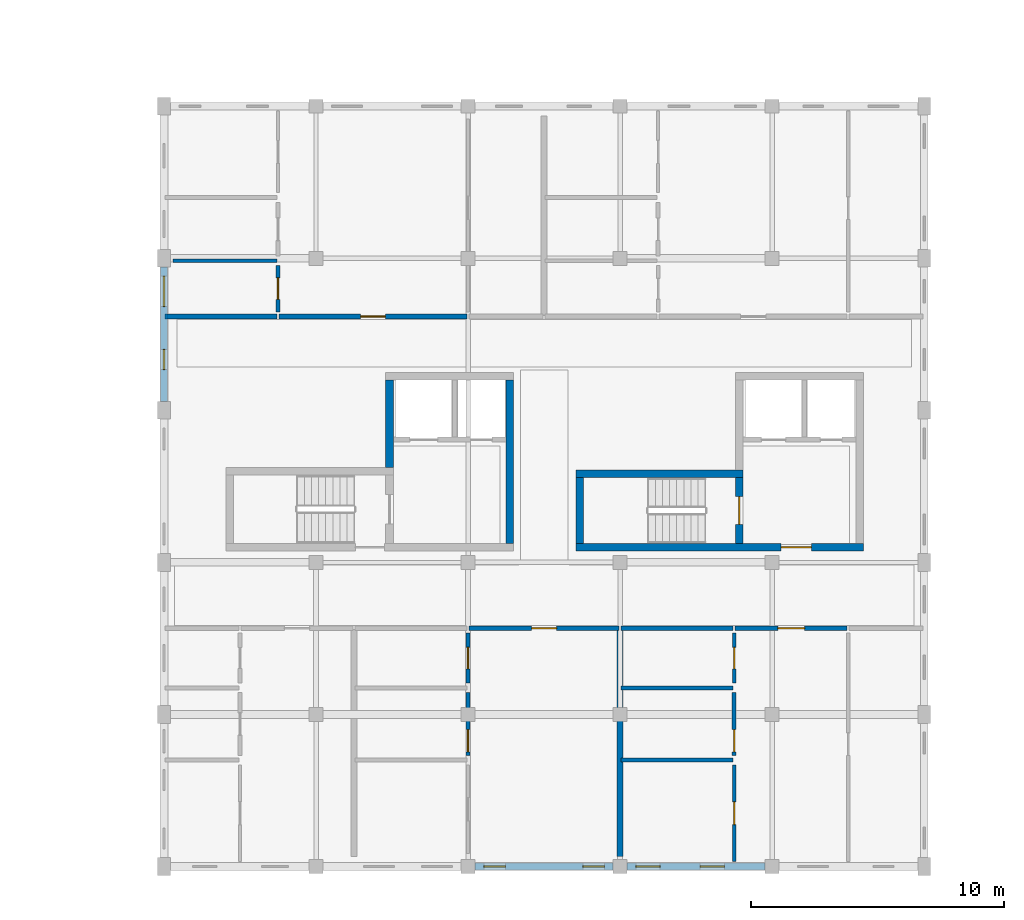
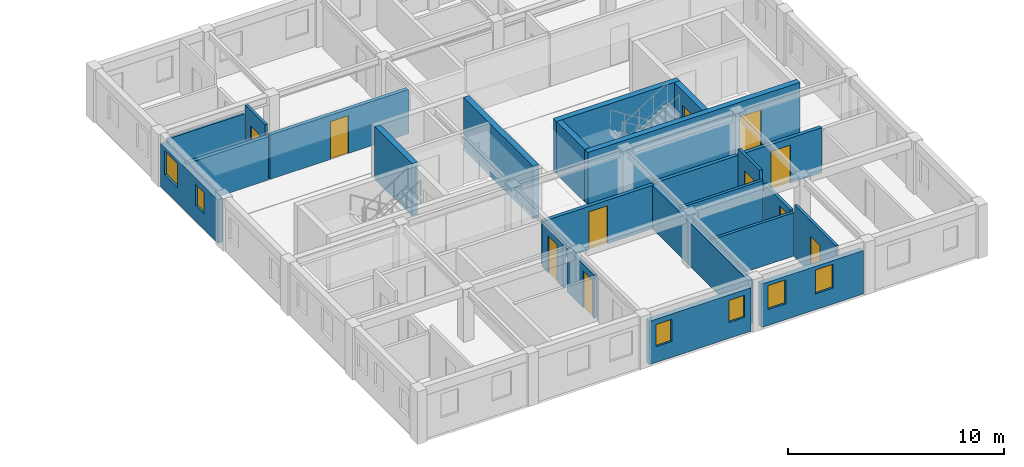
# One storey, part 12 of 28: 24 walls, 11 doors, 6 windows, 17 openings.
"""IFC4 building model written with IfcOpenShell, lengths in metres."""

from ifc_helpers import new_model, si_unit, direction, frame, frame_2d, origin, place, context, subcontext, project, spatial, rectangle, extrude, material, layer, layer_set, type_object, element, fill, save


model = new_model("IFC4")

# Units and contexts
model_context = context("Model", 3, precision=1e-05, world=origin(), true_north=direction((0.0, 1.0)))
body_context = subcontext(model_context, "Body", "Model", "MODEL_VIEW")
ifc_project = project(units=[si_unit("LENGTHUNIT", "METRE"), si_unit("AREAUNIT", "SQUARE_METRE"), si_unit("VOLUMEUNIT", "CUBIC_METRE"), si_unit("PLANEANGLEUNIT", "RADIAN"), si_unit("MASSUNIT", "GRAM", prefix="KILO"), si_unit("POWERUNIT", "WATT"), si_unit("THERMODYNAMICTEMPERATUREUNIT", "KELVIN")], contexts=[model_context])

# Site, building, storey
site_placement = place(None, origin())
site = spatial("IfcSite", under=ifc_project, at=site_placement, CompositionType="ELEMENT")
building_placement = place(site_placement, origin())
building = spatial("IfcBuilding", under=site, at=building_placement, Name="Ruvembo Vaulted Housing Court", CompositionType="ELEMENT")
storey_placement = place(building_placement, frame((0.0, 0.0, 23.699951171875)))
storey = spatial("IfcBuildingStorey", under=building, at=storey_placement, Name="L07", CompositionType="ELEMENT", Elevation=23.699951171875)

# Walls
ifc_material_1 = material(Name="Concrete C35/45", Category="concrete")
ifc_layer_1 = layer(ifc_material_1, 0.300048828125, Name="Concrete C35/45")
ifc_layer_set_1 = layer_set([ifc_layer_1], Name="Concrete C35/45")
wall_type_1 = type_object("IfcWallType", Name="WL-CORE-300", PredefinedType="SHEAR", material=ifc_layer_set_1)
wall_1_placement = place(storey_placement, frame((115.64990234375, 12.75, 0.0), z_axis=(0.0, 0.0, 1.0), x_axis=(0.0, 1.0, 0.0)))
element("IfcWall", 1, at=wall_1_placement, inside=storey, type_object=wall_type_1, Name="Core C1 L07 East Shear Wall", PredefinedType="SHEAR", context=body_context, shape_type="SweptSolid", body=[
    extrude(rectangle(XDim=6.449951171875, YDim=0.300048828125, at=frame_2d((3.22509765625, 0.0))), origin(), (0.0, 0.0, 1.0), 2.97509765625),
])
wall_2_placement = place(storey_placement, frame((110.89990234375, 15.75, 0.0), z_axis=(0.0, 0.0, 1.0), x_axis=(0.0, 1.0, 0.0)))
element("IfcWall", 2, at=wall_2_placement, inside=storey, type_object=wall_type_1, Name="Core C1 L07 Upper West Shear Wall", PredefinedType="SHEAR", context=body_context, shape_type="SweptSolid", body=[
    extrude(rectangle(XDim=3.449951171875, YDim=0.300048828125, at=frame_2d((1.72509765625, 0.0))), origin(), (0.0, 0.0, 1.0), 2.97509765625),
])

# Wall, opening, door
wall_3_placement = place(storey_placement, frame((118.25, 12.60009765625, 0.0), z_axis=(0.0, 0.0, 1.0), x_axis=(1.0, 0.0, 0.0)))
wall_3 = element("IfcWall", 3, at=wall_3_placement, inside=storey, type_object=wall_type_1, Name="Core C2 L07 South Shear Wall", PredefinedType="SHEAR", context=body_context, shape_type="SweptSolid", body=[
    extrude(rectangle(XDim=11.35009765625, YDim=0.300048828125, at=frame_2d((5.675048828125, 0.0))), origin(), (0.0, 0.0, 1.0), 2.97509765625),
])
opening_1_placement = place(wall_3_placement, frame((8.10009765625, 0.0, 0.0)))
opening_1 = element("IfcOpeningElement", 4, at=opening_1_placement, cuts=wall_3, Name="Opening LD3", PredefinedType="OPENING", context=body_context, shape_type="SweptSolid", body=[
    extrude(rectangle(XDim=1.199951171875, YDim=2.14990234375, at=frame_2d((0.60009765625, 1.074951171875))), frame((0.0, 0.159912109375, 0.0), z_axis=(0.0, -1.0, 0.0), x_axis=(1.0, 0.0, 0.0)), (0.0, 0.0, 1.0), 0.320068359375),
])
ifc_material_2 = material(Name="Galvanised Painted Steel", Category="steel")
door_type_1 = type_object("IfcDoorType", Name="DR-LOB-1200x2150", OperationType="NOTDEFINED", PredefinedType="DOOR", material=ifc_material_2)
door_1_placement = place(opening_1_placement, origin())
door_1 = element("IfcDoor", 5, at=door_1_placement, inside=storey, type_object=door_type_1, Name="Core C2 L07 Lobby Fire Door", OperationType="SINGLE_SWING_RIGHT", OverallHeight=2.14990234375, OverallWidth=1.199951171875, PredefinedType="DOOR", context=body_context, shape_type="SweptSolid", body=[
    extrude(rectangle(XDim=1.199951171875, YDim=2.14990234375, at=frame_2d((0.60009765625, 1.074951171875))), frame((0.0, 0.02490234375, 0.0), z_axis=(0.0, -1.0, 0.0), x_axis=(1.0, 0.0, 0.0)), (0.0, 0.0, 1.0), 0.050048828125),
])
fill(opening_1, door_1)

# Walls
wall_4_placement = place(storey_placement, frame((124.85009765625, 15.5, 0.0), z_axis=(0.0, 0.0, 1.0), x_axis=(-1.0, 0.0, 0.0)))
element("IfcWall", 6, at=wall_4_placement, inside=storey, type_object=wall_type_1, Name="Core C2 L07 Stair North Shear Wall", PredefinedType="SHEAR", context=body_context, shape_type="SweptSolid", body=[
    extrude(rectangle(XDim=6.60009765625, YDim=0.300048828125, at=frame_2d((3.300048828125, 0.0))), origin(), (0.0, 0.0, 1.0), 2.97509765625),
])
wall_5_placement = place(storey_placement, frame((118.39990234375, 15.35009765625, 0.0), z_axis=(0.0, 0.0, 1.0), x_axis=(0.0, -1.0, 0.0)))
element("IfcWall", 7, at=wall_5_placement, inside=storey, type_object=wall_type_1, Name="Core C2 L07 Stair West Shear Wall", PredefinedType="SHEAR", context=body_context, shape_type="SweptSolid", body=[
    extrude(rectangle(XDim=2.60009765625, YDim=0.300048828125, at=frame_2d((1.300048828125, 0.0))), origin(), (0.0, 0.0, 1.0), 2.97509765625),
])

# Wall, opening, door
wall_6_placement = place(storey_placement, frame((124.699951171875, 12.75, 0.0), z_axis=(0.0, 0.0, 1.0), x_axis=(0.0, 1.0, 0.0)))
wall_6 = element("IfcWall", 8, at=wall_6_placement, inside=storey, type_object=wall_type_1, Name="Core C2 L07 Stair-Lobby Shear Wall", PredefinedType="SHEAR", context=body_context, shape_type="SweptSolid", body=[
    extrude(rectangle(XDim=2.60009765625, YDim=0.300048828125, at=frame_2d((1.300048828125, 0.0))), origin(), (0.0, 0.0, 1.0), 2.97509765625),
])
opening_2_placement = place(wall_6_placement, frame((0.75, 0.0, 0.0)))
opening_2 = element("IfcOpeningElement", 9, at=opening_2_placement, cuts=wall_6, Name="Opening SD2", PredefinedType="OPENING", context=body_context, shape_type="SweptSolid", body=[
    extrude(rectangle(XDim=1.10009765625, YDim=2.14990234375, at=frame_2d((0.550048828125, 1.074951171875))), frame((0.0, 0.159912109375, 0.0), z_axis=(0.0, -1.0, 0.0), x_axis=(1.0, 0.0, 0.0)), (0.0, 0.0, 1.0), 0.320068359375),
])
door_type_2 = type_object("IfcDoorType", Name="DR-STAIR-1100x2150", OperationType="NOTDEFINED", PredefinedType="DOOR", material=ifc_material_2)
door_2_placement = place(opening_2_placement, origin())
door_2 = element("IfcDoor", 10, at=door_2_placement, inside=storey, type_object=door_type_2, Name="Stair ST-C2 L07 Fire Door", OperationType="SINGLE_SWING_LEFT", OverallHeight=2.14990234375, OverallWidth=1.10009765625, PredefinedType="DOOR", context=body_context, shape_type="SweptSolid", body=[
    extrude(rectangle(XDim=1.10009765625, YDim=2.14990234375, at=frame_2d((0.550048828125, 1.074951171875))), frame((0.0, 0.02490234375, 0.0), z_axis=(0.0, -1.0, 0.0), x_axis=(1.0, 0.0, 0.0)), (0.0, 0.0, 1.0), 0.050048828125),
])
fill(opening_2, door_2)

ifc_material_3 = material(Name="Concrete Blockwork 190", Category="masonry")
ifc_layer_2 = layer(ifc_material_3, 0.18994140625, Name="Concrete Blockwork 190")
ifc_layer_set_2 = layer_set([ifc_layer_2], Name="Concrete Blockwork 190")
wall_type_2 = type_object("IfcWallType", Name="WL-CORR-190", PredefinedType="SOLIDWALL", material=ifc_layer_set_2)
wall_7_placement = place(storey_placement, frame((114.0400390625, 9.39990234375, 0.0), z_axis=(0.0, 0.0, 1.0), x_axis=(1.0, 0.0, 0.0)))
wall_7 = element("IfcWall", 11, at=wall_7_placement, inside=storey, type_object=wall_type_2, Name="L07 Flat C-L07-S2 Entrance WL-INT-L07-01939", PredefinedType="SOLIDWALL", context=body_context, shape_type="SweptSolid", body=[
    extrude(rectangle(XDim=5.919921875, YDim=0.18994140625, at=frame_2d((2.9599609375, 0.0))), origin(), (0.0, 0.0, 1.0), 2.4580078125),
])
opening_3_placement = place(wall_7_placement, frame((2.469970703125, 0.0, 0.0)))
opening_3 = element("IfcOpeningElement", 12, at=opening_3_placement, cuts=wall_7, Name="Opening FD2", PredefinedType="OPENING", context=body_context, shape_type="SweptSolid", body=[
    extrude(rectangle(XDim=0.97998046875, YDim=2.14990234375, at=frame_2d((0.489990234375, 1.074951171875))), frame((0.0, 0.10498046875, 0.0), z_axis=(0.0, -1.0, 0.0), x_axis=(1.0, 0.0, 0.0)), (0.0, 0.0, 1.0), 0.2099609375),
])
ifc_material_4 = material(Name="FSC Hardwood and Engineered Timber", Category="wood")
door_type_3 = type_object("IfcDoorType", Name="DR-FLAT-0980x2150", OperationType="NOTDEFINED", PredefinedType="DOOR", material=ifc_material_4)
door_3_placement = place(opening_3_placement, origin())
door_3 = element("IfcDoor", 13, at=door_3_placement, inside=storey, type_object=door_type_3, Name="L07 Flat C-L07-S2 Entrance Door DR-INT-L07-01087", OperationType="SINGLE_SWING_LEFT", OverallHeight=2.14990234375, OverallWidth=0.97998046875, PredefinedType="DOOR", context=body_context, shape_type="SweptSolid", body=[
    extrude(rectangle(XDim=0.97998046875, YDim=2.14990234375, at=frame_2d((0.489990234375, 1.074951171875))), frame((0.0, 0.02490234375, 0.0), z_axis=(0.0, -1.0, 0.0), x_axis=(1.0, 0.0, 0.0)), (0.0, 0.0, 1.0), 0.050048828125),
])
fill(opening_3, door_3)

# Wall
wall_8_placement = place(storey_placement, frame((120.0400390625, 9.39990234375, 0.0), z_axis=(0.0, 0.0, 1.0), x_axis=(1.0, 0.0, 0.0)))
element("IfcWall", 14, at=wall_8_placement, inside=storey, type_object=wall_type_2, Name="L07 Flat C-L07-S3 Corridor Wall WL-INT-L07-01945", PredefinedType="SOLIDWALL", context=body_context, shape_type="SweptSolid", body=[
    extrude(rectangle(XDim=4.419921875, YDim=0.18994140625, at=frame_2d((2.2099609375, 0.0))), origin(), (0.0, 0.0, 1.0), 2.548095703125),
])

# Wall, opening, door
wall_9_placement = place(storey_placement, frame((124.5400390625, 9.39990234375, 0.0), z_axis=(0.0, 0.0, 1.0), x_axis=(1.0, 0.0, 0.0)))
wall_9 = element("IfcWall", 15, at=wall_9_placement, inside=storey, type_object=wall_type_2, Name="L07 Flat C-L07-S3 Entrance WL-INT-L07-01946", PredefinedType="SOLIDWALL", context=body_context, shape_type="SweptSolid", body=[
    extrude(rectangle(XDim=4.419921875, YDim=0.18994140625, at=frame_2d((2.2099609375, 0.0))), origin(), (0.0, 0.0, 1.0), 2.548095703125),
])
opening_4_placement = place(wall_9_placement, frame((1.68505859375, 0.0, 0.0)))
opening_4 = element("IfcOpeningElement", 16, at=opening_4_placement, cuts=wall_9, Name="Opening FD3", PredefinedType="OPENING", context=body_context, shape_type="SweptSolid", body=[
    extrude(rectangle(XDim=1.050048828125, YDim=2.14990234375, at=frame_2d((0.52490234375, 1.074951171875))), frame((0.0, 0.10498046875, 0.0), z_axis=(0.0, -1.0, 0.0), x_axis=(1.0, 0.0, 0.0)), (0.0, 0.0, 1.0), 0.2099609375),
])
door_type_4 = type_object("IfcDoorType", Name="DR-FLAT-1050x2150", OperationType="NOTDEFINED", PredefinedType="DOOR", material=ifc_material_4)
door_4_placement = place(opening_4_placement, origin())
door_4 = element("IfcDoor", 17, at=door_4_placement, inside=storey, type_object=door_type_4, Name="L07 Flat C-L07-S3 Entrance Door DR-INT-L07-01091", OperationType="SINGLE_SWING_LEFT", OverallHeight=2.14990234375, OverallWidth=1.050048828125, PredefinedType="DOOR", context=body_context, shape_type="SweptSolid", body=[
    extrude(rectangle(XDim=1.050048828125, YDim=2.14990234375, at=frame_2d((0.52490234375, 1.074951171875))), frame((0.0, 0.02490234375, 0.0), z_axis=(0.0, -1.0, 0.0), x_axis=(1.0, 0.0, 0.0)), (0.0, 0.0, 1.0), 0.050048828125),
])
fill(opening_4, door_4)

# Wall
wall_10_placement = place(storey_placement, frame((102.0400390625, 21.699951171875, 0.0), z_axis=(0.0, 0.0, 1.0), x_axis=(1.0, 0.0, 0.0)))
element("IfcWall", 18, at=wall_10_placement, inside=storey, type_object=wall_type_2, Name="L07 Flat C-L07-N1 Corridor Wall WL-INT-L07-01955", PredefinedType="SOLIDWALL", context=body_context, shape_type="SweptSolid", body=[
    extrude(rectangle(XDim=4.419921875, YDim=0.18994140625, at=frame_2d((2.2099609375, 0.0))), origin(), (0.0, 0.0, 1.0), 2.45703125),
])

# Wall, opening, door
wall_11_placement = place(storey_placement, frame((106.5400390625, 21.699951171875, 0.0), z_axis=(0.0, 0.0, 1.0), x_axis=(1.0, 0.0, 0.0)))
wall_11 = element("IfcWall", 19, at=wall_11_placement, inside=storey, type_object=wall_type_2, Name="L07 Flat C-L07-N1 Entrance WL-INT-L07-01956", PredefinedType="SOLIDWALL", context=body_context, shape_type="SweptSolid", body=[
    extrude(rectangle(XDim=7.419921875, YDim=0.18994140625, at=frame_2d((3.7099609375, 0.0))), origin(), (0.0, 0.0, 1.0), 2.508056640625),
])
opening_5_placement = place(wall_11_placement, frame((3.219970703125, 0.0, 0.0)))
opening_5 = element("IfcOpeningElement", 20, at=opening_5_placement, cuts=wall_11, Name="Opening FD2", PredefinedType="OPENING", context=body_context, shape_type="SweptSolid", body=[
    extrude(rectangle(XDim=0.97998046875, YDim=2.14990234375, at=frame_2d((0.489990234375, 1.074951171875))), frame((0.0, 0.10498046875, 0.0), z_axis=(0.0, -1.0, 0.0), x_axis=(1.0, 0.0, 0.0)), (0.0, 0.0, 1.0), 0.2099609375),
])
door_5_placement = place(opening_5_placement, origin())
door_5 = element("IfcDoor", 21, at=door_5_placement, inside=storey, type_object=door_type_3, Name="L07 Flat C-L07-N1 Entrance Door DR-INT-L07-01096", OperationType="SINGLE_SWING_RIGHT", OverallHeight=2.14990234375, OverallWidth=0.97998046875, PredefinedType="DOOR", context=body_context, shape_type="SweptSolid", body=[
    extrude(rectangle(XDim=0.97998046875, YDim=2.14990234375, at=frame_2d((0.489990234375, 1.074951171875))), frame((0.0, 0.02490234375, 0.0), z_axis=(0.0, -1.0, 0.0), x_axis=(1.0, 0.0, 0.0)), (0.0, 0.0, 1.0), 0.050048828125),
])
fill(opening_5, door_5)

# Wall
ifc_material_5 = material(Name="Acoustic Masonry Demising 230", Category="masonry")
ifc_layer_3 = layer(ifc_material_5, 0.22998046875, Name="Acoustic Masonry Demising 230")
ifc_layer_set_3 = layer_set([ifc_layer_3], Name="Acoustic Masonry Demising 230")
wall_type_3 = type_object("IfcWallType", Name="WL-DEM-230", PredefinedType="SOLIDWALL", material=ifc_layer_set_3)
wall_12_placement = place(storey_placement, frame((120.0, 0.389892578125, 0.0), z_axis=(0.0, 0.0, 1.0), x_axis=(0.0, 1.0, 0.0)))
element("IfcWall", 22, at=wall_12_placement, inside=storey, type_object=wall_type_3, Name="L07 Demising C-L07-S2 WL-INT-L07-01937", PredefinedType="SOLIDWALL", context=body_context, shape_type="SweptSolid", body=[
    extrude(rectangle(XDim=8.97021484375, YDim=0.22998046875, at=frame_2d((4.485107421875, 0.0))), origin(), (0.0, 0.0, 1.0), 2.4580078125),
])

# Wall, openings, windows
ifc_material_6 = material(Name="Rendered Masonry 270", Category="masonry")
ifc_layer_4 = layer(ifc_material_6, 0.27001953125, Name="Rendered Masonry 270")
ifc_layer_set_4 = layer_set([ifc_layer_4], Name="Rendered Masonry 270")
wall_type_4 = type_object("IfcWallType", Name="WL-EXT-270", PredefinedType="STANDARD", material=ifc_layer_set_4)
wall_13_placement = place(storey_placement, frame((114.27490234375, 0.0, 0.0), z_axis=(0.0, 0.0, 1.0), x_axis=(1.0, 0.0, 0.0)))
wall_13 = element("IfcWall", 23, at=wall_13_placement, inside=storey, type_object=wall_type_4, Name="Block C L07 Exterior Wall STREET #3", PredefinedType="STANDARD", context=body_context, shape_type="SweptSolid", body=[
    extrude(rectangle(XDim=5.4501953125, YDim=0.27001953125, at=frame_2d((2.72509765625, 0.0))), origin(), (0.0, 0.0, 1.0), 2.45703125),
])
opening_6_placement = place(wall_13_placement, frame((0.35009765625, 0.0, 0.89990234375)))
opening_6 = element("IfcOpeningElement", 24, at=opening_6_placement, cuts=wall_13, Name="Opening W03", PredefinedType="OPENING", context=body_context, shape_type="SweptSolid", body=[
    extrude(rectangle(XDim=0.85009765625, YDim=1.25, at=frame_2d((0.425048828125, 0.625))), frame((0.0, 0.14501953125, 0.0), z_axis=(0.0, -1.0, 0.0), x_axis=(1.0, 0.0, 0.0)), (0.0, 0.0, 1.0), 0.2900390625),
])
opening_7_placement = place(wall_13_placement, frame((4.25, 0.0, 0.89990234375)))
opening_7 = element("IfcOpeningElement", 25, at=opening_7_placement, cuts=wall_13, Name="Opening W03", PredefinedType="OPENING", context=body_context, shape_type="SweptSolid", body=[
    extrude(rectangle(XDim=0.85009765625, YDim=1.25, at=frame_2d((0.425048828125, 0.625))), frame((0.0, 0.14501953125, 0.0), z_axis=(0.0, -1.0, 0.0), x_axis=(1.0, 0.0, 0.0)), (0.0, 0.0, 1.0), 0.2900390625),
])
ifc_material_7 = material(Name="Double Solar-Control Glazing in Aluminium Frame", Category="aluminium")
window_type_1 = type_object("IfcWindowType", Name="WIN-0850x1250", PartitioningType="SINGLE_PANEL", PredefinedType="WINDOW", material=ifc_material_7)
window_1_placement = place(opening_6_placement, origin())
window_1 = element("IfcWindow", 26, at=window_1_placement, inside=storey, type_object=window_type_1, Name="Block C L07 Window #1369", OverallHeight=1.25, OverallWidth=0.85009765625, PartitioningType="SINGLE_PANEL", PredefinedType="WINDOW", context=body_context, shape_type="SweptSolid", body=[
    extrude(rectangle(XDim=0.85009765625, YDim=1.25, at=frame_2d((0.425048828125, 0.625))), frame((0.0, 0.030029296875, 0.0), z_axis=(0.0, -1.0, 0.0), x_axis=(1.0, 0.0, 0.0)), (0.0, 0.0, 1.0), 0.06005859375),
])
fill(opening_6, window_1)
window_2_placement = place(opening_7_placement, origin())
window_2 = element("IfcWindow", 27, at=window_2_placement, inside=storey, type_object=window_type_1, Name="Block C L07 Window #1370", OverallHeight=1.25, OverallWidth=0.85009765625, PartitioningType="SINGLE_PANEL", PredefinedType="WINDOW", context=body_context, shape_type="SweptSolid", body=[
    extrude(rectangle(XDim=0.85009765625, YDim=1.25, at=frame_2d((0.425048828125, 0.625))), frame((0.0, 0.030029296875, 0.0), z_axis=(0.0, -1.0, 0.0), x_axis=(1.0, 0.0, 0.0)), (0.0, 0.0, 1.0), 0.06005859375),
])
fill(opening_7, window_2)

wall_14_placement = place(storey_placement, frame((120.27490234375, 0.0, 0.0), z_axis=(0.0, 0.0, 1.0), x_axis=(1.0, 0.0, 0.0)))
wall_14 = element("IfcWall", 28, at=wall_14_placement, inside=storey, type_object=wall_type_4, Name="Block C L07 Exterior Wall STREET #4", PredefinedType="STANDARD", context=body_context, shape_type="SweptSolid", body=[
    extrude(rectangle(XDim=5.4501953125, YDim=0.27001953125, at=frame_2d((2.72509765625, 0.0))), origin(), (0.0, 0.0, 1.0), 2.45703125),
])
opening_8_placement = place(wall_14_placement, frame((0.35009765625, 0.0, 0.89990234375)))
opening_8 = element("IfcOpeningElement", 29, at=opening_8_placement, cuts=wall_14, Name="Opening W07", PredefinedType="OPENING", context=body_context, shape_type="SweptSolid", body=[
    extrude(rectangle(XDim=0.949951171875, YDim=1.35009765625, at=frame_2d((0.47509765625, 0.675048828125))), frame((0.0, 0.14501953125, 0.0), z_axis=(0.0, -1.0, 0.0), x_axis=(1.0, 0.0, 0.0)), (0.0, 0.0, 1.0), 0.2900390625),
])
opening_9_placement = place(wall_14_placement, frame((2.885009765625, 0.0, 0.89990234375)))
opening_9 = element("IfcOpeningElement", 30, at=opening_9_placement, cuts=wall_14, Name="Opening W07", PredefinedType="OPENING", context=body_context, shape_type="SweptSolid", body=[
    extrude(rectangle(XDim=0.949951171875, YDim=1.35009765625, at=frame_2d((0.47509765625, 0.675048828125))), frame((0.0, 0.14501953125, 0.0), z_axis=(0.0, -1.0, 0.0), x_axis=(1.0, 0.0, 0.0)), (0.0, 0.0, 1.0), 0.2900390625),
])
window_type_2 = type_object("IfcWindowType", Name="WIN-0950x1350", PartitioningType="SINGLE_PANEL", PredefinedType="WINDOW", material=ifc_material_7)
window_3_placement = place(opening_8_placement, origin())
window_3 = element("IfcWindow", 31, at=window_3_placement, inside=storey, type_object=window_type_2, Name="Block C L07 Window #1371", OverallHeight=1.35009765625, OverallWidth=0.949951171875, PartitioningType="SINGLE_PANEL", PredefinedType="WINDOW", context=body_context, shape_type="SweptSolid", body=[
    extrude(rectangle(XDim=0.949951171875, YDim=1.35009765625, at=frame_2d((0.47509765625, 0.675048828125))), frame((0.0, 0.030029296875, 0.0), z_axis=(0.0, -1.0, 0.0), x_axis=(1.0, 0.0, 0.0)), (0.0, 0.0, 1.0), 0.06005859375),
])
fill(opening_8, window_3)
window_4_placement = place(opening_9_placement, origin())
window_4 = element("IfcWindow", 32, at=window_4_placement, inside=storey, type_object=window_type_2, Name="Block C L07 Window #1372", OverallHeight=1.35009765625, OverallWidth=0.949951171875, PartitioningType="SINGLE_PANEL", PredefinedType="WINDOW", context=body_context, shape_type="SweptSolid", body=[
    extrude(rectangle(XDim=0.949951171875, YDim=1.35009765625, at=frame_2d((0.47509765625, 0.675048828125))), frame((0.0, 0.030029296875, 0.0), z_axis=(0.0, -1.0, 0.0), x_axis=(1.0, 0.0, 0.0)), (0.0, 0.0, 1.0), 0.06005859375),
])
fill(opening_9, window_4)

wall_15_placement = place(storey_placement, frame((102.0, 23.64990234375, 0.0), z_axis=(0.0, 0.0, 1.0), x_axis=(0.0, -1.0, 0.0)))
wall_15 = element("IfcWall", 33, at=wall_15_placement, inside=storey, type_object=wall_type_4, Name="Block C L07 Exterior Wall WEST #2", PredefinedType="STANDARD", context=body_context, shape_type="SweptSolid", body=[
    extrude(rectangle(XDim=5.2998046875, YDim=0.27001953125, at=frame_2d((2.64990234375, 0.0))), origin(), (0.0, 0.0, 1.0), 2.45703125),
])
opening_10_placement = place(wall_15_placement, frame((0.35498046875, 0.0, 0.89990234375)))
opening_10 = element("IfcOpeningElement", 34, at=opening_10_placement, cuts=wall_15, Name="Opening W12", PredefinedType="OPENING", context=body_context, shape_type="SweptSolid", body=[
    extrude(rectangle(XDim=1.199951171875, YDim=1.35009765625, at=frame_2d((0.60009765625, 0.675048828125))), frame((0.0, 0.14501953125, 0.0), z_axis=(0.0, -1.0, 0.0), x_axis=(1.0, 0.0, 0.0)), (0.0, 0.0, 1.0), 0.2900390625),
])
opening_11_placement = place(wall_15_placement, frame((3.2451171875, 0.0, 0.89990234375)))
opening_11 = element("IfcOpeningElement", 35, at=opening_11_placement, cuts=wall_15, Name="Opening W02", PredefinedType="OPENING", context=body_context, shape_type="SweptSolid", body=[
    extrude(rectangle(XDim=0.800048828125, YDim=1.199951171875, at=frame_2d((0.39990234375, 0.60009765625))), frame((0.0, 0.14501953125, 0.0), z_axis=(0.0, -1.0, 0.0), x_axis=(1.0, 0.0, 0.0)), (0.0, 0.0, 1.0), 0.2900390625),
])
window_type_3 = type_object("IfcWindowType", Name="WIN-0800x1200", PartitioningType="SINGLE_PANEL", PredefinedType="WINDOW", material=ifc_material_7)
window_5_placement = place(opening_11_placement, origin())
window_5 = element("IfcWindow", 36, at=window_5_placement, inside=storey, type_object=window_type_3, Name="Block C L07 Window #1398", OverallHeight=1.199951171875, OverallWidth=0.800048828125, PartitioningType="SINGLE_PANEL", PredefinedType="WINDOW", context=body_context, shape_type="SweptSolid", body=[
    extrude(rectangle(XDim=0.800048828125, YDim=1.199951171875, at=frame_2d((0.39990234375, 0.60009765625))), frame((0.0, 0.030029296875, 0.0), z_axis=(0.0, -1.0, 0.0), x_axis=(1.0, 0.0, 0.0)), (0.0, 0.0, 1.0), 0.06005859375),
])
fill(opening_11, window_5)
window_type_4 = type_object("IfcWindowType", Name="WIN-1200x1350", PartitioningType="SINGLE_PANEL", PredefinedType="WINDOW", material=ifc_material_7)
window_6_placement = place(opening_10_placement, origin())
window_6 = element("IfcWindow", 37, at=window_6_placement, inside=storey, type_object=window_type_4, Name="Block C L07 Window #1397", OverallHeight=1.35009765625, OverallWidth=1.199951171875, PartitioningType="SINGLE_PANEL", PredefinedType="WINDOW", context=body_context, shape_type="SweptSolid", body=[
    extrude(rectangle(XDim=1.199951171875, YDim=1.35009765625, at=frame_2d((0.60009765625, 0.675048828125))), frame((0.0, 0.030029296875, 0.0), z_axis=(0.0, -1.0, 0.0), x_axis=(1.0, 0.0, 0.0)), (0.0, 0.0, 1.0), 0.06005859375),
])
fill(opening_10, window_6)

# Wall, opening, door
ifc_material_8 = material(Name="Acoustic Stud Partition 135", Category="gypsum")
ifc_layer_5 = layer(ifc_material_8, 0.135009765625, Name="Acoustic Stud Partition 135")
ifc_layer_set_5 = layer_set([ifc_layer_5], Name="Acoustic Stud Partition 135")
wall_type_5 = type_object("IfcWallType", Name="WL-PART-135", PredefinedType="PARTITIONING", material=ifc_layer_set_5)
wall_16_placement = place(storey_placement, frame((124.5, 0.18994140625, 0.0), z_axis=(0.0, 0.0, 1.0), x_axis=(0.0, 1.0, 0.0)))
wall_16 = element("IfcWall", 38, at=wall_16_placement, inside=storey, type_object=wall_type_5, Name="L07 Flat C-L07-S3 Bedroom 1 WL-INT-L07-01947", PredefinedType="PARTITIONING", context=body_context, shape_type="SweptSolid", body=[
    extrude(rectangle(XDim=3.820068359375, YDim=0.135009765625, at=frame_2d((1.91015625, 0.0))), origin(), (0.0, 0.0, 1.0), 2.97509765625),
])
opening_12_placement = place(wall_16_placement, frame((1.4599609375, 0.0, 0.0)))
opening_12 = element("IfcOpeningElement", 39, at=opening_12_placement, cuts=wall_16, Name="Opening ID1", PredefinedType="OPENING", context=body_context, shape_type="SweptSolid", body=[
    extrude(rectangle(XDim=0.89990234375, YDim=2.10009765625, at=frame_2d((0.449951171875, 1.050048828125))), frame((0.0, 0.077392578125, 0.0), z_axis=(0.0, -1.0, 0.0), x_axis=(1.0, 0.0, 0.0)), (0.0, 0.0, 1.0), 0.155029296875),
])
door_type_5 = type_object("IfcDoorType", Name="DR-ROOM-0900x2100", OperationType="NOTDEFINED", PredefinedType="DOOR", material=ifc_material_4)
door_6_placement = place(opening_12_placement, origin())
door_6 = element("IfcDoor", 40, at=door_6_placement, inside=storey, type_object=door_type_5, Name="L07 Flat C-L07-S3 Bedroom 1 Door DR-INT-L07-01092", OperationType="SINGLE_SWING_RIGHT", OverallHeight=2.10009765625, OverallWidth=0.89990234375, PredefinedType="DOOR", context=body_context, shape_type="SweptSolid", body=[
    extrude(rectangle(XDim=0.89990234375, YDim=2.10009765625, at=frame_2d((0.449951171875, 1.050048828125))), frame((0.0, 0.02490234375, 0.0), z_axis=(0.0, -1.0, 0.0), x_axis=(1.0, 0.0, 0.0)), (0.0, 0.0, 1.0), 0.050048828125),
])
fill(opening_12, door_6)

ifc_material_9 = material(Name="Moisture-Resistant Wet Partition 150", Category="gypsum")
ifc_layer_6 = layer(ifc_material_9, 0.14990234375, Name="Moisture-Resistant Wet Partition 150")
ifc_layer_set_6 = layer_set([ifc_layer_6], Name="Moisture-Resistant Wet Partition 150")
wall_type_6 = type_object("IfcWallType", Name="WL-PART-150", PredefinedType="PARTITIONING", material=ifc_layer_set_6)
wall_17_placement = place(storey_placement, frame((114.0, 7.239990234375, 0.0), z_axis=(0.0, 0.0, 1.0), x_axis=(0.0, 1.0, 0.0)))
wall_17 = element("IfcWall", 41, at=wall_17_placement, inside=storey, type_object=wall_type_6, Name="L07 Flat C-L07-S2 Bathroom WL-INT-L07-01942", PredefinedType="PARTITIONING", context=body_context, shape_type="SweptSolid", body=[
    extrude(rectangle(XDim=1.969970703125, YDim=0.14990234375, at=frame_2d((0.98486328125, 0.0))), origin(), (0.0, 0.0, 1.0), 2.4580078125),
])
opening_13_placement = place(wall_17_placement, frame((0.56005859375, 0.0, 0.0)))
opening_13 = element("IfcOpeningElement", 42, at=opening_13_placement, cuts=wall_17, Name="Opening ID2", PredefinedType="OPENING", context=body_context, shape_type="SweptSolid", body=[
    extrude(rectangle(XDim=0.85009765625, YDim=2.10009765625, at=frame_2d((0.425048828125, 1.050048828125))), frame((0.0, 0.0849609375, 0.0), z_axis=(0.0, -1.0, 0.0), x_axis=(1.0, 0.0, 0.0)), (0.0, 0.0, 1.0), 0.169921875),
])
door_type_6 = type_object("IfcDoorType", Name="DR-WET-0850x2100", OperationType="NOTDEFINED", PredefinedType="DOOR", material=ifc_material_4)
door_7_placement = place(opening_13_placement, origin())
door_7 = element("IfcDoor", 43, at=door_7_placement, inside=storey, type_object=door_type_6, Name="L07 Flat C-L07-S2 Bathroom Door DR-INT-L07-01090", OperationType="SINGLE_SWING_RIGHT", OverallHeight=2.10009765625, OverallWidth=0.85009765625, PredefinedType="DOOR", context=body_context, shape_type="SweptSolid", body=[
    extrude(rectangle(XDim=0.85009765625, YDim=2.10009765625, at=frame_2d((0.425048828125, 1.050048828125))), frame((0.0, 0.02490234375, 0.0), z_axis=(0.0, -1.0, 0.0), x_axis=(1.0, 0.0, 0.0)), (0.0, 0.0, 1.0), 0.050048828125),
])
fill(opening_13, door_7)

wall_18_placement = place(storey_placement, frame((124.5, 7.239990234375, 0.0), z_axis=(0.0, 0.0, 1.0), x_axis=(0.0, 1.0, 0.0)))
wall_18 = element("IfcWall", 44, at=wall_18_placement, inside=storey, type_object=wall_type_6, Name="L07 Flat C-L07-S3 Bathroom WL-INT-L07-01949", PredefinedType="PARTITIONING", context=body_context, shape_type="SweptSolid", body=[
    extrude(rectangle(XDim=1.969970703125, YDim=0.14990234375, at=frame_2d((0.98486328125, 0.0))), origin(), (0.0, 0.0, 1.0), 2.97509765625),
])
opening_14_placement = place(wall_18_placement, frame((0.56005859375, 0.0, 0.0)))
opening_14 = element("IfcOpeningElement", 45, at=opening_14_placement, cuts=wall_18, Name="Opening ID2", PredefinedType="OPENING", context=body_context, shape_type="SweptSolid", body=[
    extrude(rectangle(XDim=0.85009765625, YDim=2.10009765625, at=frame_2d((0.425048828125, 1.050048828125))), frame((0.0, 0.0849609375, 0.0), z_axis=(0.0, -1.0, 0.0), x_axis=(1.0, 0.0, 0.0)), (0.0, 0.0, 1.0), 0.169921875),
])
door_8_placement = place(opening_14_placement, origin())
door_8 = element("IfcDoor", 46, at=door_8_placement, inside=storey, type_object=door_type_6, Name="L07 Flat C-L07-S3 Bathroom Door DR-INT-L07-01094", OperationType="SINGLE_SWING_RIGHT", OverallHeight=2.10009765625, OverallWidth=0.85009765625, PredefinedType="DOOR", context=body_context, shape_type="SweptSolid", body=[
    extrude(rectangle(XDim=0.85009765625, YDim=2.10009765625, at=frame_2d((0.425048828125, 1.050048828125))), frame((0.0, 0.02490234375, 0.0), z_axis=(0.0, -1.0, 0.0), x_axis=(1.0, 0.0, 0.0)), (0.0, 0.0, 1.0), 0.050048828125),
])
fill(opening_14, door_8)

# Walls
wall_19_placement = place(storey_placement, frame((120.0400390625, 4.199951171875, 0.0), z_axis=(0.0, 0.0, 1.0), x_axis=(1.0, 0.0, 0.0)))
element("IfcWall", 47, at=wall_19_placement, inside=storey, type_object=wall_type_6, Name="L07 Flat C-L07-S3 Wet Wall 1 WL-INT-L07-01950", PredefinedType="PARTITIONING", context=body_context, shape_type="SweptSolid", body=[
    extrude(rectangle(XDim=4.419921875, YDim=0.14990234375, at=frame_2d((2.2099609375, 0.0))), origin(), (0.0, 0.0, 1.0), 2.4580078125),
])
wall_20_placement = place(storey_placement, frame((120.0400390625, 7.050048828125, 0.0), z_axis=(0.0, 0.0, 1.0), x_axis=(1.0, 0.0, 0.0)))
element("IfcWall", 48, at=wall_20_placement, inside=storey, type_object=wall_type_6, Name="L07 Flat C-L07-S3 Wet Wall 2 WL-INT-L07-01951", PredefinedType="PARTITIONING", context=body_context, shape_type="SweptSolid", body=[
    extrude(rectangle(XDim=4.419921875, YDim=0.14990234375, at=frame_2d((2.2099609375, 0.0))), origin(), (0.0, 0.0, 1.0), 2.548095703125),
])

# Wall, opening, door
wall_21_placement = place(storey_placement, frame((106.5, 21.889892578125, 0.0), z_axis=(0.0, 0.0, 1.0), x_axis=(0.0, 1.0, 0.0)))
wall_21 = element("IfcWall", 49, at=wall_21_placement, inside=storey, type_object=wall_type_6, Name="L07 Flat C-L07-N1 Bathroom WL-INT-L07-01959", PredefinedType="PARTITIONING", context=body_context, shape_type="SweptSolid", body=[
    extrude(rectangle(XDim=1.820068359375, YDim=0.14990234375, at=frame_2d((0.91015625, 0.0))), origin(), (0.0, 0.0, 1.0), 2.97509765625),
])
opening_15_placement = place(wall_21_placement, frame((0.485107421875, 0.0, 0.0)))
opening_15 = element("IfcOpeningElement", 50, at=opening_15_placement, cuts=wall_21, Name="Opening ID2", PredefinedType="OPENING", context=body_context, shape_type="SweptSolid", body=[
    extrude(rectangle(XDim=0.85009765625, YDim=2.10009765625, at=frame_2d((0.425048828125, 1.050048828125))), frame((0.0, 0.0849609375, 0.0), z_axis=(0.0, -1.0, 0.0), x_axis=(1.0, 0.0, 0.0)), (0.0, 0.0, 1.0), 0.169921875),
])
door_9_placement = place(opening_15_placement, origin())
door_9 = element("IfcDoor", 51, at=door_9_placement, inside=storey, type_object=door_type_6, Name="L07 Flat C-L07-N1 Bathroom Door DR-INT-L07-01099", OperationType="SINGLE_SWING_LEFT", OverallHeight=2.10009765625, OverallWidth=0.85009765625, PredefinedType="DOOR", context=body_context, shape_type="SweptSolid", body=[
    extrude(rectangle(XDim=0.85009765625, YDim=2.10009765625, at=frame_2d((0.425048828125, 1.050048828125))), frame((0.0, 0.02490234375, 0.0), z_axis=(0.0, -1.0, 0.0), x_axis=(1.0, 0.0, 0.0)), (0.0, 0.0, 1.0), 0.050048828125),
])
fill(opening_15, door_9)

# Wall
wall_22_placement = place(storey_placement, frame((102.360107421875, 23.89990234375, 0.0), z_axis=(0.0, 0.0, 1.0), x_axis=(1.0, 0.0, 0.0)))
element("IfcWall", 52, at=wall_22_placement, inside=storey, type_object=wall_type_6, Name="L07 Flat C-L07-N1 Wet Wall 2 WL-INT-L07-01961", PredefinedType="PARTITIONING", context=body_context, shape_type="SweptSolid", body=[
    extrude(rectangle(XDim=4.099853515625, YDim=0.14990234375, at=frame_2d((2.0498046875, 0.0))), origin(), (0.0, 0.0, 1.0), 2.407958984375),
])

# Wall, opening, door
ifc_material_10 = material(Name="Acoustic Service Chase Wall 160", Category="gypsum")
ifc_layer_7 = layer(ifc_material_10, 0.159912109375, Name="Acoustic Service Chase Wall 160")
ifc_layer_set_7 = layer_set([ifc_layer_7], Name="Acoustic Service Chase Wall 160")
wall_type_7 = type_object("IfcWallType", Name="WL-PLUMB-160", PredefinedType="PLUMBINGWALL", material=ifc_layer_set_7)
wall_23_placement = place(storey_placement, frame((114.0, 4.389892578125, 0.0), z_axis=(0.0, 0.0, 1.0), x_axis=(0.0, 1.0, 0.0)))
wall_23 = element("IfcWall", 53, at=wall_23_placement, inside=storey, type_object=wall_type_7, Name="L07 Flat C-L07-S2 Kitchen WL-INT-L07-01941", PredefinedType="PLUMBINGWALL", context=body_context, shape_type="SweptSolid", body=[
    extrude(rectangle(XDim=2.47021484375, YDim=0.159912109375, at=frame_2d((1.235107421875, 0.0))), origin(), (0.0, 0.0, 1.0), 2.4580078125),
])
opening_16_placement = place(wall_23_placement, frame((0.1298828125, 0.0, 0.0)))
opening_16 = element("IfcOpeningElement", 54, at=opening_16_placement, cuts=wall_23, Name="Opening ID3", PredefinedType="OPENING", context=body_context, shape_type="SweptSolid", body=[
    extrude(rectangle(XDim=0.8798828125, YDim=2.10009765625, at=frame_2d((0.43994140625, 1.050048828125))), frame((0.0, 0.08984375, 0.0), z_axis=(0.0, -1.0, 0.0), x_axis=(1.0, 0.0, 0.0)), (0.0, 0.0, 1.0), 0.179931640625),
])
door_type_7 = type_object("IfcDoorType", Name="DR-ROOM-0880x2100", OperationType="NOTDEFINED", PredefinedType="DOOR", material=ifc_material_4)
door_10_placement = place(opening_16_placement, origin())
door_10 = element("IfcDoor", 55, at=door_10_placement, inside=storey, type_object=door_type_7, Name="L07 Flat C-L07-S2 Kitchen Door DR-INT-L07-01089", OperationType="SINGLE_SWING_LEFT", OverallHeight=2.10009765625, OverallWidth=0.8798828125, PredefinedType="DOOR", context=body_context, shape_type="SweptSolid", body=[
    extrude(rectangle(XDim=0.8798828125, YDim=2.10009765625, at=frame_2d((0.43994140625, 1.050048828125))), frame((0.0, 0.02490234375, 0.0), z_axis=(0.0, -1.0, 0.0), x_axis=(1.0, 0.0, 0.0)), (0.0, 0.0, 1.0), 0.050048828125),
])
fill(opening_16, door_10)

wall_24_placement = place(storey_placement, frame((124.5, 4.389892578125, 0.0), z_axis=(0.0, 0.0, 1.0), x_axis=(0.0, 1.0, 0.0)))
wall_24 = element("IfcWall", 56, at=wall_24_placement, inside=storey, type_object=wall_type_7, Name="L07 Flat C-L07-S3 Kitchen WL-INT-L07-01948", PredefinedType="PLUMBINGWALL", context=body_context, shape_type="SweptSolid", body=[
    extrude(rectangle(XDim=2.47021484375, YDim=0.159912109375, at=frame_2d((1.235107421875, 0.0))), origin(), (0.0, 0.0, 1.0), 2.45703125),
])
opening_17_placement = place(wall_24_placement, frame((0.1298828125, 0.0, 0.0)))
opening_17 = element("IfcOpeningElement", 57, at=opening_17_placement, cuts=wall_24, Name="Opening ID3", PredefinedType="OPENING", context=body_context, shape_type="SweptSolid", body=[
    extrude(rectangle(XDim=0.8798828125, YDim=2.10009765625, at=frame_2d((0.43994140625, 1.050048828125))), frame((0.0, 0.08984375, 0.0), z_axis=(0.0, -1.0, 0.0), x_axis=(1.0, 0.0, 0.0)), (0.0, 0.0, 1.0), 0.179931640625),
])
door_11_placement = place(opening_17_placement, origin())
door_11 = element("IfcDoor", 58, at=door_11_placement, inside=storey, type_object=door_type_7, Name="L07 Flat C-L07-S3 Kitchen Door DR-INT-L07-01093", OperationType="SINGLE_SWING_LEFT", OverallHeight=2.10009765625, OverallWidth=0.8798828125, PredefinedType="DOOR", context=body_context, shape_type="SweptSolid", body=[
    extrude(rectangle(XDim=0.8798828125, YDim=2.10009765625, at=frame_2d((0.43994140625, 1.050048828125))), frame((0.0, 0.02490234375, 0.0), z_axis=(0.0, -1.0, 0.0), x_axis=(1.0, 0.0, 0.0)), (0.0, 0.0, 1.0), 0.050048828125),
])
fill(opening_17, door_11)

save(model, "model.ifc")
